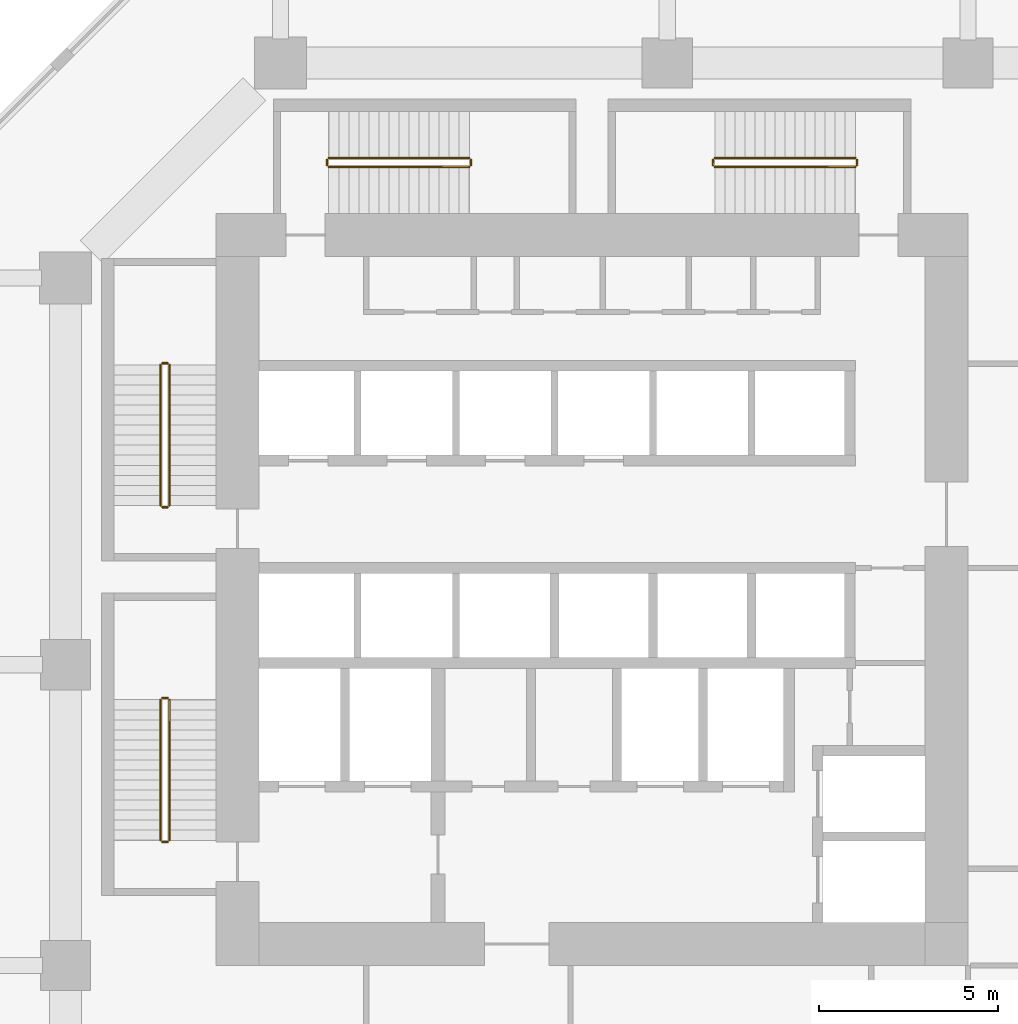
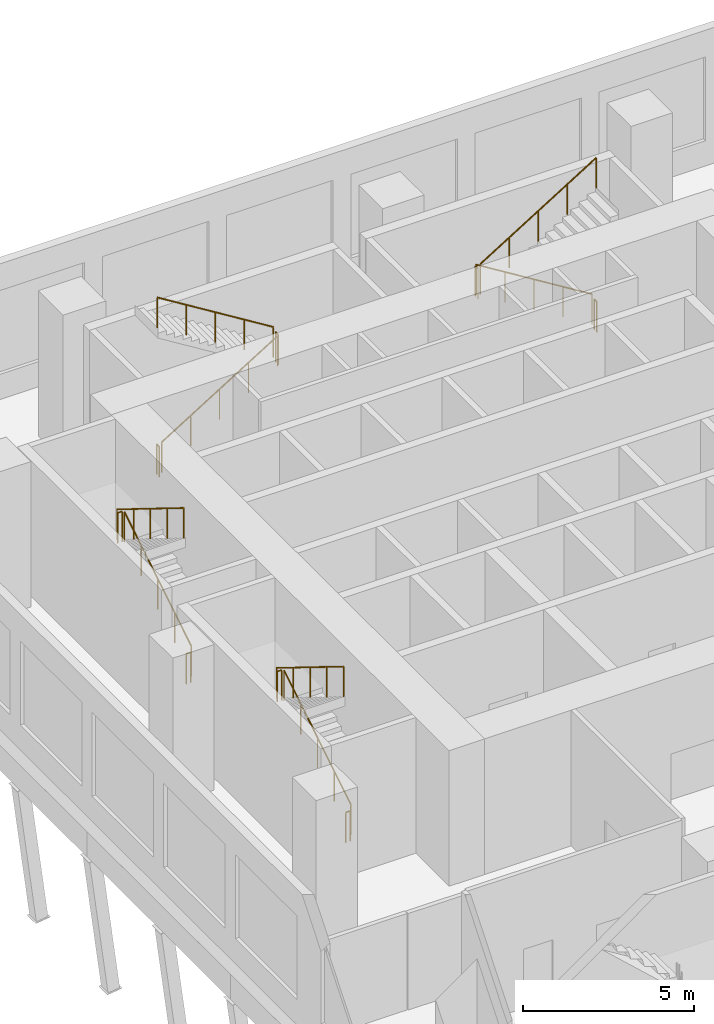
# One storey, part 18 of 21: 16 railings.
"""IFC4 building model written with IfcOpenShell, lengths in metres."""

from ifc_helpers import new_model, si_unit, direction, frame, origin, origin_2d, place, context, subcontext, project, spatial, circle, extrude, material, type_object, element, save


model = new_model("IFC4")

# Units and contexts
model_context = context("Model", 3, precision=1e-05, world=origin(), true_north=direction((0.0, 1.0)))
body_context = subcontext(model_context, "Body", "Model", "MODEL_VIEW")
ifc_project = project(units=[si_unit("LENGTHUNIT", "METRE"), si_unit("AREAUNIT", "SQUARE_METRE"), si_unit("VOLUMEUNIT", "CUBIC_METRE"), si_unit("PLANEANGLEUNIT", "RADIAN"), si_unit("MASSUNIT", "GRAM", prefix="KILO")], contexts=[model_context])

# Site, building, storey
site_placement = place(None, origin())
site = spatial("IfcSite", under=ifc_project, at=site_placement, CompositionType="ELEMENT")
building_placement = place(site_placement, origin())
building = spatial("IfcBuilding", under=site, at=building_placement, Name="Kawkab Arch Medical Tower", CompositionType="ELEMENT")
storey_placement = place(building_placement, frame((0.0, 0.0, 23.800048828125)))
storey = spatial("IfcBuildingStorey", under=building, at=storey_placement, Name="L05", CompositionType="ELEMENT", Elevation=23.800048828125)

# Railings
ifc_material = material(Name="Stainless steel", Category="steel")
railing_type = type_object("IfcRailingType", Name="Stair guard 1100", PredefinedType="GUARDRAIL", material=ifc_material)
railing_1_placement = place(storey_placement, frame((2.89990234375, -12.35009765625, 0.17333984375)))
element("IfcRailing", 1, at=railing_1_placement, inside=storey, type_object=railing_type, Name="L05 ST1 stair guard 1", PredefinedType="GUARDRAIL", context=body_context, shape_type="SweptSolid", body=[
    extrude(circle(Radius=0.02392578125, at=origin_2d()), frame((0.0, 0.0, 1.076171875), z_axis=(0.0, 0.850289973577, 0.526314507528), x_axis=(-1.0, 0.0, 0.0)), (0.0, 0.0, 1.0), 4.6103515625),
    extrude(circle(Radius=0.02099609375, at=origin_2d()), origin(), (0.0, 0.0, 1.0), 1.052001953125),
    extrude(circle(Radius=0.02099609375, at=origin_2d()), frame((0.0, 0.97998046875, 0.606689453125)), (0.0, 0.0, 1.0), 1.052001953125),
    extrude(circle(Radius=0.02099609375, at=origin_2d()), frame((0.0, 1.9599609375, 1.21337890625)), (0.0, 0.0, 1.0), 1.052001953125),
    extrude(circle(Radius=0.02099609375, at=origin_2d()), frame((0.0, 2.940185546875, 1.81982421875)), (0.0, 0.0, 1.0), 1.052001953125),
    extrude(circle(Radius=0.02099609375, at=origin_2d()), frame((0.0, 3.920166015625, 2.426513671875)), (0.0, 0.0, 1.0), 1.052001953125),
])
railing_2_placement = place(storey_placement, frame((2.85009765625, -8.3798828125, 2.599853515625)))
element("IfcRailing", 2, at=railing_2_placement, inside=storey, type_object=railing_type, Name="L05 ST1 stair guard 2", PredefinedType="GUARDRAIL", context=body_context, shape_type="SweptSolid", body=[
    extrude(circle(Radius=0.02392578125, at=origin_2d()), frame((0.0, 0.0, 1.076171875), z_axis=(-1.0, 0.0, 0.0), x_axis=(0.0, -1.0, 0.0)), (0.0, 0.0, 1.0), 0.150146484375),
    extrude(circle(Radius=0.02099609375, at=origin_2d()), origin(), (0.0, 0.0, 1.0), 1.052001953125),
    extrude(circle(Radius=0.02099609375, at=origin_2d()), frame((-0.150146484375, 0.0, 0.0)), (0.0, 0.0, 1.0), 1.052001953125),
])
railing_3_placement = place(storey_placement, frame((2.64990234375, -8.429931640625, 2.773193359375)))
element("IfcRailing", 3, at=railing_3_placement, inside=storey, type_object=railing_type, Name="L05 ST1 stair guard 3", PredefinedType="GUARDRAIL", context=body_context, shape_type="SweptSolid", body=[
    extrude(circle(Radius=0.02392578125, at=origin_2d()), frame((0.0, 0.0, 1.076171875), z_axis=(0.0, -0.850266275192, 0.526352791643), x_axis=(1.0, 0.0, 0.0)), (0.0, 0.0, 1.0), 4.610595703125),
    extrude(circle(Radius=0.02099609375, at=origin_2d()), origin(), (0.0, 0.0, 1.0), 1.052001953125),
    extrude(circle(Radius=0.02099609375, at=origin_2d()), frame((0.0, -0.97998046875, 0.606689453125)), (0.0, 0.0, 1.0), 1.052001953125),
    extrude(circle(Radius=0.02099609375, at=origin_2d()), frame((0.0, -1.9599609375, 1.21337890625)), (0.0, 0.0, 1.0), 1.052001953125),
    extrude(circle(Radius=0.02099609375, at=origin_2d()), frame((0.0, -2.940185546875, 1.820068359375)), (0.0, 0.0, 1.0), 1.052001953125),
    extrude(circle(Radius=0.02099609375, at=origin_2d()), frame((0.0, -3.920166015625, 2.4267578125)), (0.0, 0.0, 1.0), 1.052001953125),
])
railing_4_placement = place(storey_placement, frame((2.85009765625, -12.39990234375, 0.0)))
element("IfcRailing", 4, at=railing_4_placement, inside=storey, type_object=railing_type, Name="L05 ST1 stair guard 4", PredefinedType="GUARDRAIL", context=body_context, shape_type="SweptSolid", body=[
    extrude(circle(Radius=0.02392578125, at=origin_2d()), frame((0.0, 0.0, 1.076171875), z_axis=(-1.0, 0.0, 0.0), x_axis=(0.0, -1.0, 0.0)), (0.0, 0.0, 1.0), 0.150146484375),
    extrude(circle(Radius=0.02099609375, at=origin_2d()), origin(), (0.0, 0.0, 1.0), 1.052001953125),
    extrude(circle(Radius=0.02099609375, at=origin_2d()), frame((-0.150146484375, 0.0, 0.0)), (0.0, 0.0, 1.0), 1.052001953125),
])
railing_5_placement = place(storey_placement, frame((2.89990234375, -21.699951171875, 0.17333984375)))
element("IfcRailing", 5, at=railing_5_placement, inside=storey, type_object=railing_type, Name="L05 ST2 stair guard 1", PredefinedType="GUARDRAIL", context=body_context, shape_type="SweptSolid", body=[
    extrude(circle(Radius=0.02392578125, at=origin_2d()), frame((0.0, 0.0, 1.076171875), z_axis=(0.0, 0.850275303828, 0.526338206574), x_axis=(-1.0, 0.0, 0.0)), (0.0, 0.0, 1.0), 4.610107421875),
    extrude(circle(Radius=0.02099609375, at=origin_2d()), origin(), (0.0, 0.0, 1.0), 1.052001953125),
    extrude(circle(Radius=0.02099609375, at=origin_2d()), frame((0.0, 0.97998046875, 0.606689453125)), (0.0, 0.0, 1.0), 1.052001953125),
    extrude(circle(Radius=0.02099609375, at=origin_2d()), frame((0.0, 1.9599609375, 1.21337890625)), (0.0, 0.0, 1.0), 1.052001953125),
    extrude(circle(Radius=0.02099609375, at=origin_2d()), frame((0.0, 2.93994140625, 1.81982421875)), (0.0, 0.0, 1.0), 1.052001953125),
    extrude(circle(Radius=0.02099609375, at=origin_2d()), frame((0.0, 3.919921875, 2.426513671875)), (0.0, 0.0, 1.0), 1.052001953125),
])
railing_6_placement = place(storey_placement, frame((2.85009765625, -17.72998046875, 2.599853515625)))
element("IfcRailing", 6, at=railing_6_placement, inside=storey, type_object=railing_type, Name="L05 ST2 stair guard 2", PredefinedType="GUARDRAIL", context=body_context, shape_type="SweptSolid", body=[
    extrude(circle(Radius=0.02392578125, at=origin_2d()), frame((0.0, 0.0, 1.076171875), z_axis=(-1.0, 0.0, 0.0), x_axis=(0.0, -1.0, 0.0)), (0.0, 0.0, 1.0), 0.150146484375),
    extrude(circle(Radius=0.02099609375, at=origin_2d()), origin(), (0.0, 0.0, 1.0), 1.052001953125),
    extrude(circle(Radius=0.02099609375, at=origin_2d()), frame((-0.150146484375, 0.0, 0.0)), (0.0, 0.0, 1.0), 1.052001953125),
])
railing_7_placement = place(storey_placement, frame((2.64990234375, -17.780029296875, 2.773193359375)))
element("IfcRailing", 7, at=railing_7_placement, inside=storey, type_object=railing_type, Name="L05 ST2 stair guard 3", PredefinedType="GUARDRAIL", context=body_context, shape_type="SweptSolid", body=[
    extrude(circle(Radius=0.02392578125, at=origin_2d()), frame((0.0, 0.0, 1.076171875), z_axis=(0.0, -0.850251603719, 0.526376491091), x_axis=(1.0, 0.0, 0.0)), (0.0, 0.0, 1.0), 4.6103515625),
    extrude(circle(Radius=0.02099609375, at=origin_2d()), origin(), (0.0, 0.0, 1.0), 1.052001953125),
    extrude(circle(Radius=0.02099609375, at=origin_2d()), frame((0.0, -0.97998046875, 0.606689453125)), (0.0, 0.0, 1.0), 1.052001953125),
    extrude(circle(Radius=0.02099609375, at=origin_2d()), frame((0.0, -1.9599609375, 1.21337890625)), (0.0, 0.0, 1.0), 1.052001953125),
    extrude(circle(Radius=0.02099609375, at=origin_2d()), frame((0.0, -2.93994140625, 1.820068359375)), (0.0, 0.0, 1.0), 1.052001953125),
    extrude(circle(Radius=0.02099609375, at=origin_2d()), frame((0.0, -3.919921875, 2.4267578125)), (0.0, 0.0, 1.0), 1.052001953125),
])
railing_8_placement = place(storey_placement, frame((2.85009765625, -21.75, 0.0)))
element("IfcRailing", 8, at=railing_8_placement, inside=storey, type_object=railing_type, Name="L05 ST2 stair guard 4", PredefinedType="GUARDRAIL", context=body_context, shape_type="SweptSolid", body=[
    extrude(circle(Radius=0.02392578125, at=origin_2d()), frame((0.0, 0.0, 1.076171875), z_axis=(-1.0, 0.0, 0.0), x_axis=(0.0, -1.0, 0.0)), (0.0, 0.0, 1.0), 0.150146484375),
    extrude(circle(Radius=0.02099609375, at=origin_2d()), origin(), (0.0, 0.0, 1.0), 1.052001953125),
    extrude(circle(Radius=0.02099609375, at=origin_2d()), frame((-0.150146484375, 0.0, 0.0)), (0.0, 0.0, 1.0), 1.052001953125),
])
railing_9_placement = place(storey_placement, frame((7.35009765625, -2.89990234375, 0.17333984375)))
element("IfcRailing", 9, at=railing_9_placement, inside=storey, type_object=railing_type, Name="L05 ST3 stair guard 1", PredefinedType="GUARDRAIL", context=body_context, shape_type="SweptSolid", body=[
    extrude(circle(Radius=0.02392578125, at=origin_2d()), frame((0.0, 0.0, 1.076171875), z_axis=(0.850275303828, 0.0, 0.526338206574), x_axis=(0.0, 1.0, 0.0)), (0.0, 0.0, 1.0), 4.610107421875),
    extrude(circle(Radius=0.02099609375, at=origin_2d()), origin(), (0.0, 0.0, 1.0), 1.052001953125),
    extrude(circle(Radius=0.02099609375, at=origin_2d()), frame((0.97998046875, 0.0, 0.606689453125)), (0.0, 0.0, 1.0), 1.052001953125),
    extrude(circle(Radius=0.02099609375, at=origin_2d()), frame((1.9599609375, 0.0, 1.21337890625)), (0.0, 0.0, 1.0), 1.052001953125),
    extrude(circle(Radius=0.02099609375, at=origin_2d()), frame((2.93994140625, 0.0, 1.81982421875)), (0.0, 0.0, 1.0), 1.052001953125),
    extrude(circle(Radius=0.02099609375, at=origin_2d()), frame((3.919921875, 0.0, 2.426513671875)), (0.0, 0.0, 1.0), 1.052001953125),
])
railing_10_placement = place(storey_placement, frame((11.320068359375, -2.85009765625, 2.599853515625)))
element("IfcRailing", 10, at=railing_10_placement, inside=storey, type_object=railing_type, Name="L05 ST3 stair guard 2", PredefinedType="GUARDRAIL", context=body_context, shape_type="SweptSolid", body=[
    extrude(circle(Radius=0.02392578125, at=origin_2d()), frame((0.0, 0.0, 1.076171875), z_axis=(0.0, 1.0, 0.0), x_axis=(-1.0, 0.0, 0.0)), (0.0, 0.0, 1.0), 0.150146484375),
    extrude(circle(Radius=0.02099609375, at=origin_2d()), origin(), (0.0, 0.0, 1.0), 1.052001953125),
    extrude(circle(Radius=0.02099609375, at=origin_2d()), frame((0.0, 0.150146484375, 0.0)), (0.0, 0.0, 1.0), 1.052001953125),
])
railing_11_placement = place(storey_placement, frame((11.27001953125, -2.64990234375, 2.773193359375)))
element("IfcRailing", 11, at=railing_11_placement, inside=storey, type_object=railing_type, Name="L05 ST3 stair guard 3", PredefinedType="GUARDRAIL", context=body_context, shape_type="SweptSolid", body=[
    extrude(circle(Radius=0.02392578125, at=origin_2d()), frame((0.0, 0.0, 1.076171875), z_axis=(-0.850251603719, 0.0, 0.526376491091), x_axis=(0.0, -1.0, 0.0)), (0.0, 0.0, 1.0), 4.6103515625),
    extrude(circle(Radius=0.02099609375, at=origin_2d()), origin(), (0.0, 0.0, 1.0), 1.052001953125),
    extrude(circle(Radius=0.02099609375, at=origin_2d()), frame((-0.97998046875, 0.0, 0.606689453125)), (0.0, 0.0, 1.0), 1.052001953125),
    extrude(circle(Radius=0.02099609375, at=origin_2d()), frame((-1.9599609375, 0.0, 1.21337890625)), (0.0, 0.0, 1.0), 1.052001953125),
    extrude(circle(Radius=0.02099609375, at=origin_2d()), frame((-2.93994140625, 0.0, 1.820068359375)), (0.0, 0.0, 1.0), 1.052001953125),
    extrude(circle(Radius=0.02099609375, at=origin_2d()), frame((-3.919921875, 0.0, 2.4267578125)), (0.0, 0.0, 1.0), 1.052001953125),
])
railing_12_placement = place(storey_placement, frame((7.300048828125, -2.85009765625, 0.0)))
element("IfcRailing", 12, at=railing_12_placement, inside=storey, type_object=railing_type, Name="L05 ST3 stair guard 4", PredefinedType="GUARDRAIL", context=body_context, shape_type="SweptSolid", body=[
    extrude(circle(Radius=0.02392578125, at=origin_2d()), frame((0.0, 0.0, 1.076171875), z_axis=(0.0, 1.0, 0.0), x_axis=(-1.0, 0.0, 0.0)), (0.0, 0.0, 1.0), 0.150146484375),
    extrude(circle(Radius=0.02099609375, at=origin_2d()), origin(), (0.0, 0.0, 1.0), 1.052001953125),
    extrude(circle(Radius=0.02099609375, at=origin_2d()), frame((0.0, 0.150146484375, 0.0)), (0.0, 0.0, 1.0), 1.052001953125),
])
railing_13_placement = place(storey_placement, frame((22.050048828125, -2.64990234375, 0.17333984375)))
element("IfcRailing", 13, at=railing_13_placement, inside=storey, type_object=railing_type, Name="L05 ST4 stair guard 1", PredefinedType="GUARDRAIL", context=body_context, shape_type="SweptSolid", body=[
    extrude(circle(Radius=0.02392578125, at=origin_2d()), frame((0.0, 0.0, 1.076171875), z_axis=(-0.850289973577, 0.0, 0.526314507528), x_axis=(0.0, -1.0, 0.0)), (0.0, 0.0, 1.0), 4.6103515625),
    extrude(circle(Radius=0.02099609375, at=origin_2d()), origin(), (0.0, 0.0, 1.0), 1.052001953125),
    extrude(circle(Radius=0.02099609375, at=origin_2d()), frame((-0.97998046875, 0.0, 0.606689453125)), (0.0, 0.0, 1.0), 1.052001953125),
    extrude(circle(Radius=0.02099609375, at=origin_2d()), frame((-1.9599609375, 0.0, 1.21337890625)), (0.0, 0.0, 1.0), 1.052001953125),
    extrude(circle(Radius=0.02099609375, at=origin_2d()), frame((-2.940185546875, 0.0, 1.81982421875)), (0.0, 0.0, 1.0), 1.052001953125),
    extrude(circle(Radius=0.02099609375, at=origin_2d()), frame((-3.920166015625, 0.0, 2.426513671875)), (0.0, 0.0, 1.0), 1.052001953125),
])
railing_14_placement = place(storey_placement, frame((18.080078125, -2.699951171875, 2.599853515625)))
element("IfcRailing", 14, at=railing_14_placement, inside=storey, type_object=railing_type, Name="L05 ST4 stair guard 2", PredefinedType="GUARDRAIL", context=body_context, shape_type="SweptSolid", body=[
    extrude(circle(Radius=0.02392578125, at=origin_2d()), frame((0.0, 0.0, 1.076171875), z_axis=(0.0, -1.0, 0.0), x_axis=(1.0, 0.0, 0.0)), (0.0, 0.0, 1.0), 0.150146484375),
    extrude(circle(Radius=0.02099609375, at=origin_2d()), origin(), (0.0, 0.0, 1.0), 1.052001953125),
    extrude(circle(Radius=0.02099609375, at=origin_2d()), frame((0.0, -0.150146484375, 0.0)), (0.0, 0.0, 1.0), 1.052001953125),
])
railing_15_placement = place(storey_placement, frame((18.1298828125, -2.89990234375, 2.773193359375)))
element("IfcRailing", 15, at=railing_15_placement, inside=storey, type_object=railing_type, Name="L05 ST4 stair guard 3", PredefinedType="GUARDRAIL", context=body_context, shape_type="SweptSolid", body=[
    extrude(circle(Radius=0.02392578125, at=origin_2d()), frame((0.0, 0.0, 1.076171875), z_axis=(0.850266275192, 0.0, 0.526352791643), x_axis=(0.0, 1.0, 0.0)), (0.0, 0.0, 1.0), 4.610595703125),
    extrude(circle(Radius=0.02099609375, at=origin_2d()), origin(), (0.0, 0.0, 1.0), 1.052001953125),
    extrude(circle(Radius=0.02099609375, at=origin_2d()), frame((0.97998046875, 0.0, 0.606689453125)), (0.0, 0.0, 1.0), 1.052001953125),
    extrude(circle(Radius=0.02099609375, at=origin_2d()), frame((1.9599609375, 0.0, 1.21337890625)), (0.0, 0.0, 1.0), 1.052001953125),
    extrude(circle(Radius=0.02099609375, at=origin_2d()), frame((2.940185546875, 0.0, 1.820068359375)), (0.0, 0.0, 1.0), 1.052001953125),
    extrude(circle(Radius=0.02099609375, at=origin_2d()), frame((3.920166015625, 0.0, 2.4267578125)), (0.0, 0.0, 1.0), 1.052001953125),
])
railing_16_placement = place(storey_placement, frame((22.10009765625, -2.699951171875, 0.0)))
element("IfcRailing", 16, at=railing_16_placement, inside=storey, type_object=railing_type, Name="L05 ST4 stair guard 4", PredefinedType="GUARDRAIL", context=body_context, shape_type="SweptSolid", body=[
    extrude(circle(Radius=0.02392578125, at=origin_2d()), frame((0.0, 0.0, 1.076171875), z_axis=(0.0, -1.0, 0.0), x_axis=(1.0, 0.0, 0.0)), (0.0, 0.0, 1.0), 0.150146484375),
    extrude(circle(Radius=0.02099609375, at=origin_2d()), origin(), (0.0, 0.0, 1.0), 1.052001953125),
    extrude(circle(Radius=0.02099609375, at=origin_2d()), frame((0.0, -0.150146484375, 0.0)), (0.0, 0.0, 1.0), 1.052001953125),
])

save(model, "model.ifc")
